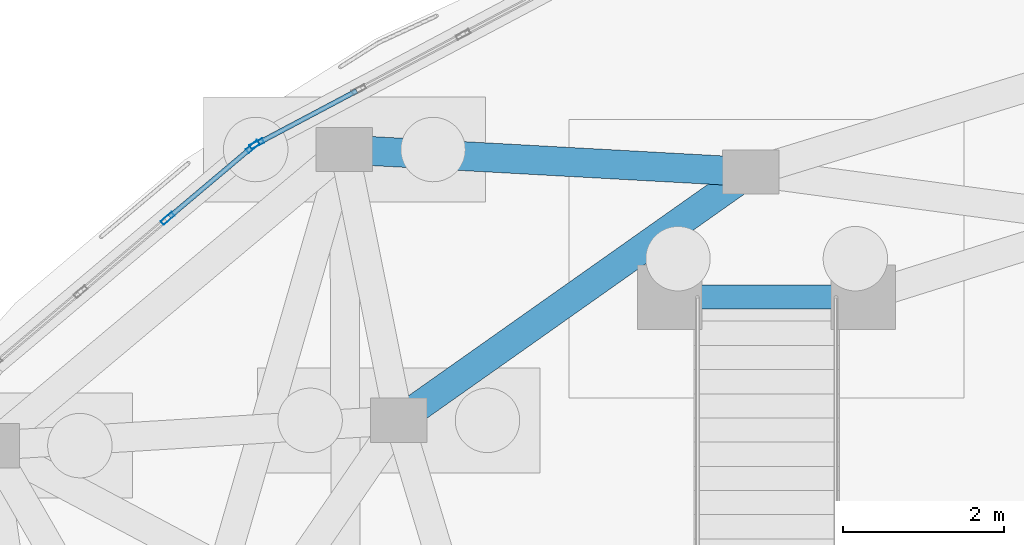
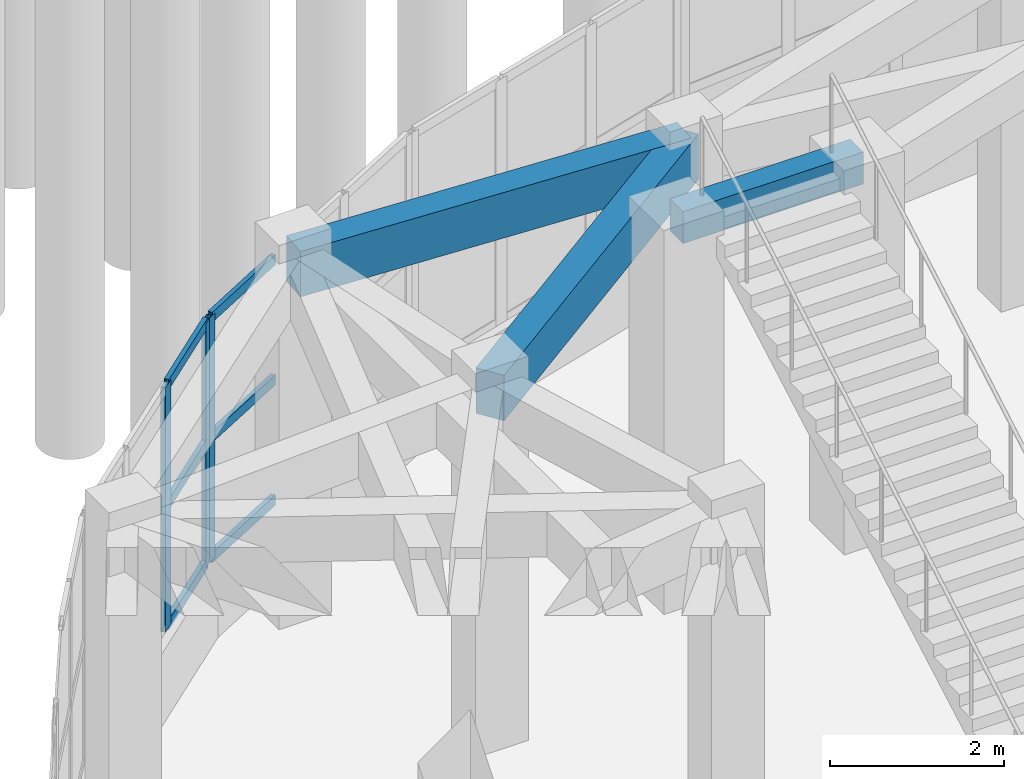
# One storey, part 18 of 96: 9 members, 3 beams, 2 elements without a shape of their own.
"""IFC4 building model written with IfcOpenShell, lengths in metres."""

import ifcopenshell
import ifcopenshell.guid

model = None  # the IFC model being written
_history = None  # IfcOwnerHistory: only IFC2X3 demands one
_inside = {}  # id of a spatial element -> (the spatial element, [elements in it])
_under = {}  # id of a project, library or spatial element -> (it, [spatial elements below it])
_declared = {}  # id of a project -> (the project, [libraries it declares])
_typed = {}  # id of a type object -> (the type object, [elements of that type])
_made_of = {}  # id of a material, layer set ... -> (it, [elements and type objects made of it])


def new_model(schema):
    """Start an empty IFC model of exactly this schema.

    Asked for "IFC4X3", IfcOpenShell would pick the latest addendum, in which some entities
    have other attributes; the version numbers below select the first issue.
    IFC2X3 requires an IfcOwnerHistory on every rooted entity: one is made here for all.
    """
    global model, _history
    if schema == "IFC4X3":
        model = ifcopenshell.file(schema_version=(4, 3, 0, 0))
    else:
        model = ifcopenshell.file(schema=schema)
    _inside.clear()
    _under.clear()
    _declared.clear()
    _typed.clear()
    _made_of.clear()
    _history = None
    if model.schema == "IFC2X3":
        org = make("IfcOrganization", Name="unknown")
        user = make(
            "IfcPersonAndOrganization",
            ThePerson=make("IfcPerson", FamilyName="unknown"),
            TheOrganization=org,
        )
        app = make(
            "IfcApplication",
            ApplicationDeveloper=org,
            Version="unknown",
            ApplicationFullName="unknown",
            ApplicationIdentifier="unknown",
        )
        _history = make(
            "IfcOwnerHistory",
            OwningUser=user,
            OwningApplication=app,
            ChangeAction="ADDED",
            CreationDate=0,
        )
    return model


def make(cls, **values):
    """One entity of the class cls with the attributes given. An attribute that is None is left unset."""
    return model.create_entity(
        cls, **{name: value for name, value in values.items() if value is not None}
    )


def rooted(cls, **values):
    """An entity with a GlobalId (a new one), such as an element, a storey or a relation."""
    return make(cls, GlobalId=ifcopenshell.guid.new(), OwnerHistory=_history, **values)


def si_unit(unit_type, name, prefix=None):
    """IfcSIUnit, for example si_unit("LENGTHUNIT", "METRE", prefix="MILLI")."""
    return make("IfcSIUnit", UnitType=unit_type, Prefix=prefix, Name=name)


def assignment(units):
    """IfcUnitAssignment: the units of a project."""
    return None if units is None else make("IfcUnitAssignment", Units=units)


def point(xyz):
    """IfcCartesianPoint."""
    return None if xyz is None else make("IfcCartesianPoint", Coordinates=xyz)


def direction(xyz):
    """IfcDirection."""
    return None if xyz is None else make("IfcDirection", DirectionRatios=xyz)


def frame(location, z_axis=None, x_axis=None):
    """IfcAxis2Placement3D, a coordinate frame: its origin and axes. An axis left out is left unset."""
    return make(
        "IfcAxis2Placement3D",
        Location=point(location),
        Axis=direction(z_axis),
        RefDirection=direction(x_axis),
    )


def frame_2d(location, x_axis=None):
    """IfcAxis2Placement2D, a coordinate frame in the plane: its origin and x axis."""
    return make(
        "IfcAxis2Placement2D", Location=point(location), RefDirection=direction(x_axis)
    )


def origin():
    """The frame at (0, 0, 0) with its axes left unset."""
    return frame((0.0, 0.0, 0.0))


def origin_2d():
    """The frame at (0, 0) in the plane with its x axis left unset."""
    return frame_2d((0.0, 0.0))


def place(relative_to, where):
    """IfcLocalPlacement: puts the frame where relative to a parent placement (None: the world)."""
    return make(
        "IfcLocalPlacement", PlacementRelTo=relative_to, RelativePlacement=where
    )


def context(
    kind, dimensions, precision=None, world=None, true_north=None, identifier=None
):
    """IfcGeometricRepresentationContext, for example the 3D "Model" context."""
    return make(
        "IfcGeometricRepresentationContext",
        ContextIdentifier=identifier,
        ContextType=kind,
        CoordinateSpaceDimension=dimensions,
        Precision=precision,
        WorldCoordinateSystem=world,
        TrueNorth=true_north,
    )


def subcontext(parent, identifier, kind, view, scale=None):
    """IfcGeometricRepresentationSubContext, for example "Body" below "Model"."""
    return make(
        "IfcGeometricRepresentationSubContext",
        ContextIdentifier=identifier,
        ContextType=kind,
        ParentContext=parent,
        TargetScale=scale,
        TargetView=view,
    )


def project(units=None, contexts=None):
    """IfcProject with its units and contexts."""
    return rooted(
        "IfcProject",
        Name="project",
        RepresentationContexts=contexts,
        UnitsInContext=assignment(units),
    )


def spatial(cls, under=None, at=None, **own):
    """A site, building, storey or space (cls), placed at a placement, below another one or the project."""
    s = rooted(cls, ObjectPlacement=at, **own)
    if under is not None:
        _under.setdefault(under.id(), (under, []))[1].append(s)
    return s


def profile(cls, at=None, kind="AREA", **sizes):
    """A parametric profile (cls). Its sizes go by their IFC names, for example OverallWidth=200.0."""
    return make(cls, ProfileType=kind, Position=at, **sizes)


def rectangle(**sizes):
    """IfcRectangleProfileDef."""
    return profile("IfcRectangleProfileDef", **sizes)


def hollow_rectangle(**sizes):
    """IfcRectangleHollowProfileDef."""
    return profile("IfcRectangleHollowProfileDef", **sizes)


def extrude(swept, where, along, depth):
    """IfcExtrudedAreaSolid: the profile swept, set in the frame where, extruded along a direction by depth."""
    return make(
        "IfcExtrudedAreaSolid",
        SweptArea=swept,
        Position=where,
        ExtrudedDirection=direction(along),
        Depth=depth,
    )


def shape(context_of_items, identifier, shape_type, items):
    """IfcShapeRepresentation: the items that make up one representation, for example the "Body"."""
    return make(
        "IfcShapeRepresentation",
        ContextOfItems=context_of_items,
        RepresentationIdentifier=identifier,
        RepresentationType=shape_type,
        Items=items,
    )


def material(Name=None, Category=None):
    """IfcMaterial."""
    return make("IfcMaterial", Name=Name, Category=Category)


def layer(
    of_material, thickness, ventilated=None, Name=None, Category=None, Priority=None
):
    """IfcMaterialLayer: one layer of a wall or slab, of a material (None: an air gap)."""
    return make(
        "IfcMaterialLayer",
        Material=of_material,
        LayerThickness=thickness,
        IsVentilated=ventilated,
        Name=Name,
        Category=Category,
        Priority=Priority,
    )


def layer_set(layers, Name=None):
    """IfcMaterialLayerSet."""
    return make("IfcMaterialLayerSet", MaterialLayers=layers, LayerSetName=Name)


def material_profile(
    of_material, cross_section, Name=None, Category=None, Priority=None
):
    """IfcMaterialProfile: a cross section and its material."""
    return make(
        "IfcMaterialProfile",
        Name=Name,
        Material=of_material,
        Profile=cross_section,
        Priority=Priority,
        Category=Category,
    )


def profile_set(profiles, Name=None, composite=None):
    """IfcMaterialProfileSet."""
    return make(
        "IfcMaterialProfileSet",
        Name=Name,
        MaterialProfiles=profiles,
        CompositeProfile=composite,
    )


def made_of(thing, what):
    """Note that an element or type object is made of a material, layer set ...; save() writes the relation."""
    if what is not None:
        _made_of.setdefault(what.id(), (what, []))[1].append(thing)
    return thing


def type_object(cls, material=None, **own):
    """A type object (cls), such as IfcWallType, which elements share."""
    return made_of(rooted(cls, **own), material)


def element(
    cls,
    number,
    at=None,
    inside=None,
    cuts=None,
    type_object=None,
    material=None,
    context=None,
    identifier="Body",
    shape_type=None,
    held_by="IfcProductDefinitionShape",
    body=None,
    shapes=None,
    **own,
):
    """One element of the class cls, such as IfcWall. Its Tag is "e" and its number.

    at: its placement. inside: the storey or other place that contains it. cuts: it is an
    opening in that element (IfcRelVoidsElement). A single representation is given by context,
    identifier, shape_type and body (its items); several are given by shapes. held_by: the class
    of the entity that holds the representations. save() writes the other relations.
    """
    e = rooted(cls, Tag="e%d" % number, ObjectPlacement=at, **own)
    if body is not None:
        shapes = [shape(context, identifier, shape_type, body)]
    if shapes is not None:
        e.Representation = make(held_by, Representations=shapes)
    if inside is not None:
        _inside.setdefault(inside.id(), (inside, []))[1].append(e)
    if cuts is not None:
        rooted(
            "IfcRelVoidsElement", RelatingBuildingElement=cuts, RelatedOpeningElement=e
        )
    if type_object is not None:
        _typed.setdefault(type_object.id(), (type_object, []))[1].append(e)
    return made_of(e, material)


def aggregate(whole, parts):
    """IfcRelAggregates: a whole, such as a stair, and the parts it consists of."""
    return rooted("IfcRelAggregates", RelatingObject=whole, RelatedObjects=parts)


def save(model, path):
    """Write the relations noted so far, then the file.

    IfcRelAggregates (storeys below a building ...), IfcRelContainedInSpatialStructure (elements
    in a storey), IfcRelDefinesByType, IfcRelAssociatesMaterial and IfcRelDeclares: one each for
    every whole, place, type object, material and project.
    """
    for whole, parts in _under.values():
        aggregate(whole, parts)
    for where, things in _inside.values():
        rooted(
            "IfcRelContainedInSpatialStructure",
            RelatedElements=things,
            RelatingStructure=where,
        )
    for kind, things in _typed.values():
        rooted("IfcRelDefinesByType", RelatedObjects=things, RelatingType=kind)
    for what, things in _made_of.values():
        rooted("IfcRelAssociatesMaterial", RelatedObjects=things, RelatingMaterial=what)
    for by, libraries in _declared.values():
        rooted("IfcRelDeclares", RelatingContext=by, RelatedDefinitions=libraries)
    model.write(path)


model = new_model("IFC4")

# Units and contexts
model_context = context("Model", 3, precision=1e-05, world=origin(), true_north=direction((0.0, 1.0)))
body_context = subcontext(model_context, "Body", "Model", "MODEL_VIEW")
ifc_project = project(units=[si_unit("LENGTHUNIT", "METRE"), si_unit("AREAUNIT", "SQUARE_METRE"), si_unit("VOLUMEUNIT", "CUBIC_METRE"), si_unit("PLANEANGLEUNIT", "RADIAN"), si_unit("MASSUNIT", "GRAM", prefix="KILO")], contexts=[model_context])

# Site, building, storey
site_placement = place(None, origin())
site = spatial("IfcSite", under=ifc_project, at=site_placement, CompositionType="ELEMENT")
building_placement = place(site_placement, origin())
building = spatial("IfcBuilding", under=site, at=building_placement, Name="Pelvatis Terrace Science Centre", CompositionType="ELEMENT")
storey_placement = place(building_placement, origin())
storey = spatial("IfcBuildingStorey", under=building, at=storey_placement, Name="L00", CompositionType="ELEMENT", Elevation=0.0)

# Beam
ifc_material_1 = material(Name="Concrete C35/45", Category="concrete")
ifc_material_profile_1 = material_profile(ifc_material_1, rectangle(XDim=0.300048828125, YDim=0.449951171875, at=origin_2d()), Name="RC-BM 300x450")
ifc_profile_set_1 = profile_set([ifc_material_profile_1], Name="Concrete C35/45")
beam_type_1 = type_object("IfcBeamType", Name="BM-RC-300x450", PredefinedType="BEAM", material=ifc_profile_set_1)
beam_1_placement = place(storey_placement, frame((38.0, 45.800048828125, 5.14990234375), z_axis=(1.0, 0.0, 0.0), x_axis=(0.0, 1.0, 0.0)))
element("IfcBeam", 1, at=beam_1_placement, inside=storey, type_object=beam_type_1, Name="Monumental stair landing beam 1", PredefinedType="BEAM", context=body_context, shape_type="SweptSolid", body=[
    extrude(rectangle(XDim=0.300048828125, YDim=0.449951171875, at=origin_2d()), origin(), (0.0, 0.0, 1.0), 2.39990234375),
])

# Curtain wall, member
ifc_material_2 = material(Name="Bronze-anodised aluminium and laminated glass", Category="aluminium")
ifc_layer = layer(ifc_material_2, 0.179931640625)
ifc_layer_set = layer_set([ifc_layer], Name="Bronze-anodised aluminium and laminated glass")
curtain_wall_type = type_object("IfcCurtainWallType", Name="CW-RIBBON-A", PredefinedType="NOTDEFINED", material=ifc_layer_set)
curtain_wall_1_placement = place(storey_placement, origin())
curtain_wall_1 = element("IfcCurtainWall", 2, at=curtain_wall_1_placement, inside=storey, type_object=curtain_wall_type, Name="Ribbon curtain wall CW-003 (L00)", PredefinedType="NOTDEFINED")
ifc_material_3 = material(Name="Bronze-anodised aluminium 6063-T6", Category="aluminium")
ifc_material_profile_2 = material_profile(ifc_material_3, hollow_rectangle(XDim=0.06005859375, YDim=0.179931640625, WallThickness=0.00390625, at=origin_2d()), Name="ALU-MUL 60x180")
ifc_profile_set_2 = profile_set([ifc_material_profile_2], Name="Bronze-anodised aluminium 6063-T6")
member_type_1 = type_object("IfcMemberType", Name="CWM-60x180", PredefinedType="MULLION", material=ifc_profile_set_2)
member_1_placement = place(storey_placement, frame((32.876220703125, 47.70068359375, 1.02001953125), z_axis=(0.0, 0.0, 1.0), x_axis=(0.468298084466, -0.88357054279, 0.0)))
member_1 = element("IfcMember", 3, at=member_1_placement, type_object=member_type_1, Name="CW-003 mullion 4", PredefinedType="MULLION", context=body_context, shape_type="SweptSolid", body=[
    extrude(hollow_rectangle(XDim=0.06005859375, YDim=0.179931640625, WallThickness=0.00390625, at=origin_2d()), origin(), (0.0, 0.0, 1.0), 3.43994140625),
])

# Curtain wall, members
curtain_wall_2_placement = place(storey_placement, origin())
curtain_wall_2 = element("IfcCurtainWall", 4, at=curtain_wall_2_placement, inside=storey, type_object=curtain_wall_type, Name="Ribbon curtain wall CW-004 (L00)", PredefinedType="NOTDEFINED")
member_2_placement = place(storey_placement, frame((32.82666015625, 47.667236328125, 1.02001953125), z_axis=(0.0, 0.0, 1.0), x_axis=(0.64476794595, -0.764378372192, 0.0)))
member_2 = element("IfcMember", 5, at=member_2_placement, type_object=member_type_1, Name="CW-004 mullion 1", PredefinedType="MULLION", context=body_context, shape_type="SweptSolid", body=[
    extrude(hollow_rectangle(XDim=0.06005859375, YDim=0.179931640625, WallThickness=0.00390625, at=origin_2d()), origin(), (0.0, 0.0, 1.0), 3.43994140625),
])
member_3_placement = place(storey_placement, frame((31.770263671875, 46.776123046875, 1.02001953125), z_axis=(0.0, 0.0, 1.0), x_axis=(0.64476794595, -0.764378372192, 0.0)))
member_3 = element("IfcMember", 6, at=member_3_placement, type_object=member_type_1, Name="CW-004 mullion 2", PredefinedType="MULLION", context=body_context, shape_type="SweptSolid", body=[
    extrude(hollow_rectangle(XDim=0.06005859375, YDim=0.179931640625, WallThickness=0.00390625, at=origin_2d()), origin(), (0.0, 0.0, 1.0), 3.43994140625),
])

# Member
ifc_material_4 = material(Name="Bronze-anodised aluminium 6063-T6", Category="aluminium")
ifc_material_profile_3 = material_profile(ifc_material_4, hollow_rectangle(XDim=0.06005859375, YDim=0.139892578125, WallThickness=0.00390625, at=origin_2d()), Name="ALU-TRN 60x140")
ifc_profile_set_3 = profile_set([ifc_material_profile_3], Name="Bronze-anodised aluminium 6063-T6")
member_type_2 = type_object("IfcMemberType", Name="CWT-60x140", PredefinedType="USERDEFINED", material=ifc_profile_set_3)
member_4_placement = place(storey_placement, frame((34.115478515625, 48.357666015625, 1.050048828125), z_axis=(-0.883502248736, -0.468426916902, 0.0), x_axis=(0.468426916902, -0.883502248736, 0.0)))
member_4 = element("IfcMember", 7, at=member_4_placement, type_object=member_type_2, Name="CW-003 transom 3.1", ObjectType="TRANSOM", PredefinedType="USERDEFINED", context=body_context, shape_type="SweptSolid", body=[
    extrude(hollow_rectangle(XDim=0.06005859375, YDim=0.139892578125, WallThickness=0.00390625, at=origin_2d()), origin(), (0.0, 0.0, 1.0), 1.372802734375),
])

member_5_placement = place(storey_placement, frame((34.115478515625, 48.357666015625, 2.739990234375), z_axis=(-0.883502248736, -0.468426916902, 0.0), x_axis=(0.468426916902, -0.883502248736, 0.0)))
member_5 = element("IfcMember", 8, at=member_5_placement, type_object=member_type_2, Name="CW-003 transom 3.2", ObjectType="TRANSOM", PredefinedType="USERDEFINED", context=body_context, shape_type="SweptSolid", body=[
    extrude(hollow_rectangle(XDim=0.06005859375, YDim=0.139892578125, WallThickness=0.00390625, at=origin_2d()), origin(), (0.0, 0.0, 1.0), 1.372802734375),
])

member_6_placement = place(storey_placement, frame((34.115478515625, 48.357666015625, 4.429931640625), z_axis=(-0.883502248736, -0.468426916902, 0.0), x_axis=(0.468426916902, -0.883502248736, 0.0)))
member_6 = element("IfcMember", 9, at=member_6_placement, type_object=member_type_2, Name="CW-003 transom 3.3", ObjectType="TRANSOM", PredefinedType="USERDEFINED", context=body_context, shape_type="SweptSolid", body=[
    extrude(hollow_rectangle(XDim=0.06005859375, YDim=0.139892578125, WallThickness=0.00390625, at=origin_2d()), origin(), (0.0, 0.0, 1.0), 1.372802734375),
])

aggregate(curtain_wall_1, [member_1, member_4, member_5, member_6])

member_7_placement = place(storey_placement, frame((32.8037109375, 47.64794921875, 1.050048828125), z_axis=(-0.764317080697, -0.644840600579, 0.0), x_axis=(0.644840600579, -0.764317080697, 0.0)))
member_7 = element("IfcMember", 10, at=member_7_placement, type_object=member_type_2, Name="CW-004 transom 1.1", ObjectType="TRANSOM", PredefinedType="USERDEFINED", context=body_context, shape_type="SweptSolid", body=[
    extrude(hollow_rectangle(XDim=0.06005859375, YDim=0.139892578125, WallThickness=0.00390625, at=origin_2d()), origin(), (0.0, 0.0, 1.0), 1.322021484375),
])

member_8_placement = place(storey_placement, frame((32.8037109375, 47.64794921875, 2.739990234375), z_axis=(-0.764317080697, -0.644840600579, 0.0), x_axis=(0.644840600579, -0.764317080697, 0.0)))
member_8 = element("IfcMember", 11, at=member_8_placement, type_object=member_type_2, Name="CW-004 transom 1.2", ObjectType="TRANSOM", PredefinedType="USERDEFINED", context=body_context, shape_type="SweptSolid", body=[
    extrude(hollow_rectangle(XDim=0.06005859375, YDim=0.139892578125, WallThickness=0.00390625, at=origin_2d()), origin(), (0.0, 0.0, 1.0), 1.322021484375),
])

member_9_placement = place(storey_placement, frame((32.8037109375, 47.64794921875, 4.429931640625), z_axis=(-0.764317080697, -0.644840600579, 0.0), x_axis=(0.644840600579, -0.764317080697, 0.0)))
member_9 = element("IfcMember", 12, at=member_9_placement, type_object=member_type_2, Name="CW-004 transom 1.3", ObjectType="TRANSOM", PredefinedType="USERDEFINED", context=body_context, shape_type="SweptSolid", body=[
    extrude(hollow_rectangle(XDim=0.06005859375, YDim=0.139892578125, WallThickness=0.00390625, at=origin_2d()), origin(), (0.0, 0.0, 1.0), 1.322021484375),
])

aggregate(curtain_wall_2, [member_2, member_3, member_7, member_8, member_9])

# Beams
ifc_material_5 = material(Name="Concrete C35/45", Category="concrete")
ifc_material_profile_4 = material_profile(ifc_material_5, rectangle(XDim=0.360107421875, YDim=0.639892578125, at=origin_2d()), Name="RC-SPN 360x640")
ifc_profile_set_4 = profile_set([ifc_material_profile_4], Name="Concrete C35/45")
beam_type_2 = type_object("IfcBeamType", Name="SPN-RC-360x640", PredefinedType="SPANDREL", material=ifc_profile_set_4)
beam_2_placement = place(storey_placement, frame((39.0, 47.351318359375, 4.820068359375), z_axis=(-0.816877911855, -0.576810607672, 0.0), x_axis=(0.576810607672, -0.816877911855, 0.0)))
element("IfcBeam", 13, at=beam_2_placement, inside=storey, type_object=beam_type_2, Name="Spandrel SP-L00-2318", PredefinedType="SPANDREL", context=body_context, shape_type="SweptSolid", body=[
    extrude(rectangle(XDim=0.360107421875, YDim=0.639892578125, at=origin_2d()), origin(), (0.0, 0.0, 1.0), 5.341064453125),
])
beam_3_placement = place(storey_placement, frame((39.0, 47.351318359375, 4.820068359375), z_axis=(-0.99847757462, 0.055159160451, 0.0), x_axis=(-0.055159160451, -0.99847757462, 0.0)))
element("IfcBeam", 14, at=beam_3_placement, inside=storey, type_object=beam_type_2, Name="Spandrel SP-L00-2319", PredefinedType="SPANDREL", context=body_context, shape_type="SweptSolid", body=[
    extrude(rectangle(XDim=0.360107421875, YDim=0.639892578125, at=origin_2d()), origin(), (0.0, 0.0, 1.0), 5.045654296875),
])

save(model, "model.ifc")
